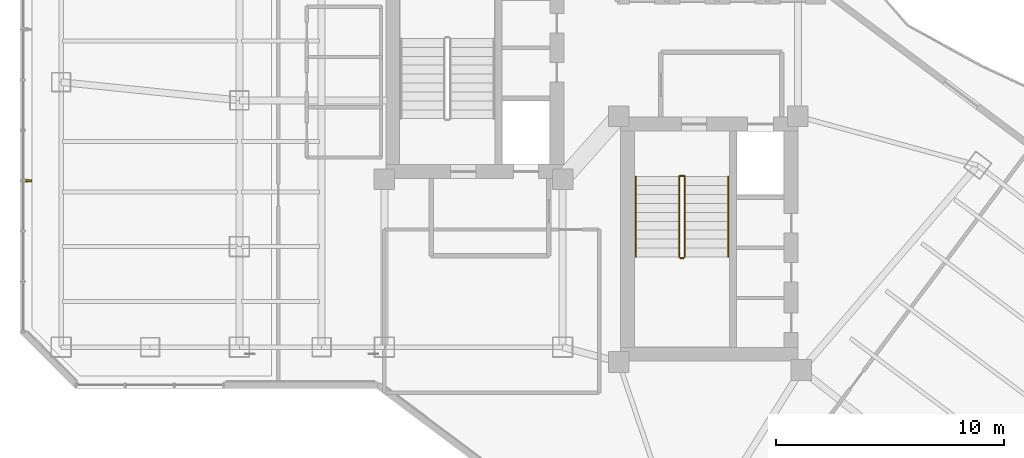
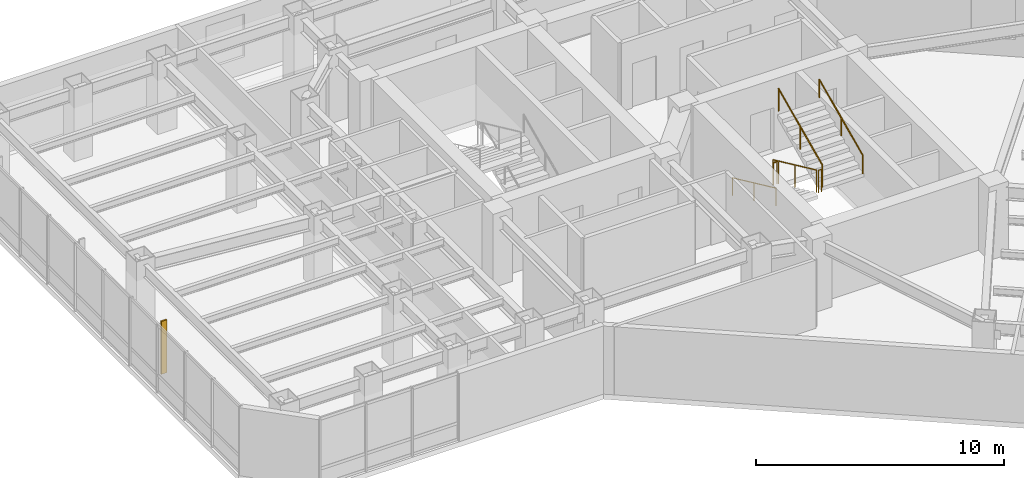
# One storey, part 26 of 29: 7 railings, 1 shading device.
"""IFC4 building model written with IfcOpenShell, lengths in metres."""

from ifc_helpers import new_model, si_unit, direction, frame, origin, origin_2d, place, context, subcontext, project, spatial, rectangle, circle, extrude, material, layer, layer_set, type_object, element, save


model = new_model("IFC4")

# Units and contexts
model_context = context("Model", 3, precision=1e-05, world=origin(), true_north=direction((0.0, 1.0)))
body_context = subcontext(model_context, "Body", "Model", "MODEL_VIEW")
ifc_project = project(units=[si_unit("LENGTHUNIT", "METRE"), si_unit("AREAUNIT", "SQUARE_METRE"), si_unit("VOLUMEUNIT", "CUBIC_METRE"), si_unit("PLANEANGLEUNIT", "RADIAN"), si_unit("MASSUNIT", "GRAM", prefix="KILO")], contexts=[model_context])

# Site, building, storey
site_placement = place(None, origin())
site = spatial("IfcSite", under=ifc_project, at=site_placement, CompositionType="ELEMENT")
building_placement = place(site_placement, origin())
building = spatial("IfcBuilding", under=site, at=building_placement, Name="Hatsunagi Terrace Concourse", CompositionType="ELEMENT")
storey_placement = place(building_placement, frame((0.0, 0.0, 104.85009765625)))
storey = spatial("IfcBuildingStorey", under=building, at=storey_placement, Name="L27", CompositionType="ELEMENT", Elevation=104.85009765625)

# Railings
ifc_material_1 = material(Name="Stainless steel", Category="steel")
ifc_layer_1 = layer(ifc_material_1, 0.044921875)
ifc_layer_set_1 = layer_set([ifc_layer_1], Name="StairPitchHandrail_Tower2000")
railing_type_1 = type_object("IfcRailingType", Name="StairPitchHandrail_Tower2000", PredefinedType="HANDRAIL", material=ifc_layer_set_1)
railing_1_placement = place(storey_placement, frame((36.550048828125, 32.659912109375, 0.179931640625)))
element("IfcRailing", 1, at=railing_1_placement, inside=storey, type_object=railing_type_1, Name="L27 ST-B stair handrail 1", PredefinedType="HANDRAIL", context=body_context, shape_type="SweptSolid", body=[
    extrude(circle(Radius=0.02392578125, at=origin_2d()), frame((0.0, 0.0, 0.8759765625), z_axis=(0.0, -0.907972323039, 0.419030142823), x_axis=(1.0, 0.0, 0.0)), (0.0, 0.0, 1.0), 3.86572265625),
    extrude(circle(Radius=0.02099609375, at=origin_2d()), origin(), (0.0, 0.0, 1.0), 0.851806640625),
    extrude(circle(Radius=0.02099609375, at=origin_2d()), frame((0.0, -1.7548828125, 0.81005859375)), (0.0, 0.0, 1.0), 0.851806640625),
    extrude(circle(Radius=0.02099609375, at=origin_2d()), frame((0.0, -3.510009765625, 1.619873046875)), (0.0, 0.0, 1.0), 0.851806640625),
])
railing_2_placement = place(storey_placement, frame((40.60009765625, 29.14990234375, 1.97998046875)))
element("IfcRailing", 2, at=railing_2_placement, inside=storey, type_object=railing_type_1, Name="L27 ST-B stair handrail 2", PredefinedType="HANDRAIL", context=body_context, shape_type="SweptSolid", body=[
    extrude(circle(Radius=0.02392578125, at=origin_2d()), frame((0.0, 0.0, 0.8759765625), z_axis=(0.0, 0.907972323039, 0.419030142823), x_axis=(-1.0, 0.0, 0.0)), (0.0, 0.0, 1.0), 3.86572265625),
    extrude(circle(Radius=0.02099609375, at=origin_2d()), origin(), (0.0, 0.0, 1.0), 0.851806640625),
    extrude(circle(Radius=0.02099609375, at=origin_2d()), frame((0.0, 1.7548828125, 0.81005859375)), (0.0, 0.0, 1.0), 0.851806640625),
    extrude(circle(Radius=0.02099609375, at=origin_2d()), frame((0.0, 3.510009765625, 1.619873046875)), (0.0, 0.0, 1.0), 0.851806640625),
])
ifc_material_2 = material(Name="Stainless steel", Category="steel")
ifc_layer_2 = layer(ifc_material_2, 0.06005859375)
ifc_layer_set_2 = layer_set([ifc_layer_2], Name="StairWellGuard_Tower2000")
railing_type_2 = type_object("IfcRailingType", Name="StairWellGuard_Tower2000", PredefinedType="BALUSTRADE", material=ifc_layer_set_2)
railing_3_placement = place(storey_placement, frame((38.449951171875, 32.659912109375, 0.179931640625)))
element("IfcRailing", 3, at=railing_3_placement, inside=storey, type_object=railing_type_2, Name="L27 ST-B stair guard 1", PredefinedType="BALUSTRADE", context=body_context, shape_type="SweptSolid", body=[
    extrude(circle(Radius=0.02392578125, at=origin_2d()), frame((0.0, 0.0, 1.09619140625), z_axis=(0.0, -0.907972323039, 0.419030142823), x_axis=(1.0, 0.0, 0.0)), (0.0, 0.0, 1.0), 3.86572265625),
    extrude(circle(Radius=0.02099609375, at=origin_2d()), origin(), (0.0, 0.0, 1.0), 1.072021484375),
    extrude(circle(Radius=0.02099609375, at=origin_2d()), frame((0.0, -1.7548828125, 0.81005859375)), (0.0, 0.0, 1.0), 1.072021484375),
    extrude(circle(Radius=0.02099609375, at=origin_2d()), frame((0.0, -3.510009765625, 1.619873046875)), (0.0, 0.0, 1.0), 1.072021484375),
])
railing_4_placement = place(storey_placement, frame((38.5, 29.10009765625, 1.7998046875)))
element("IfcRailing", 4, at=railing_4_placement, inside=storey, type_object=railing_type_2, Name="L27 ST-B stair guard 2", PredefinedType="BALUSTRADE", context=body_context, shape_type="SweptSolid", body=[
    extrude(circle(Radius=0.02392578125, at=origin_2d()), frame((0.0, 0.0, 1.09619140625), z_axis=(1.0, 0.0, 0.0), x_axis=(0.0, 1.0, 0.0)), (0.0, 0.0, 1.0), 0.14990234375),
    extrude(circle(Radius=0.02099609375, at=origin_2d()), origin(), (0.0, 0.0, 1.0), 1.072021484375),
    extrude(circle(Radius=0.02099609375, at=origin_2d()), frame((0.14990234375, 0.0, 0.0)), (0.0, 0.0, 1.0), 1.072021484375),
])
railing_5_placement = place(storey_placement, frame((38.699951171875, 29.14990234375, 1.97998046875)))
element("IfcRailing", 5, at=railing_5_placement, inside=storey, type_object=railing_type_2, Name="L27 ST-B stair guard 3", PredefinedType="BALUSTRADE", context=body_context, shape_type="SweptSolid", body=[
    extrude(circle(Radius=0.02392578125, at=origin_2d()), frame((0.0, 0.0, 1.09619140625), z_axis=(0.0, 0.907972323039, 0.419030142823), x_axis=(-1.0, 0.0, 0.0)), (0.0, 0.0, 1.0), 3.86572265625),
    extrude(circle(Radius=0.02099609375, at=origin_2d()), origin(), (0.0, 0.0, 1.0), 1.072021484375),
    extrude(circle(Radius=0.02099609375, at=origin_2d()), frame((0.0, 1.7548828125, 0.81005859375)), (0.0, 0.0, 1.0), 1.072021484375),
    extrude(circle(Radius=0.02099609375, at=origin_2d()), frame((0.0, 3.510009765625, 1.619873046875)), (0.0, 0.0, 1.0), 1.072021484375),
])
railing_6_placement = place(storey_placement, frame((38.5, 32.7099609375, 0.0)))
element("IfcRailing", 6, at=railing_6_placement, inside=storey, type_object=railing_type_2, Name="L27 ST-B stair guard 4", PredefinedType="BALUSTRADE", context=body_context, shape_type="SweptSolid", body=[
    extrude(circle(Radius=0.02392578125, at=origin_2d()), frame((0.0, 0.0, 1.09619140625), z_axis=(1.0, 0.0, 0.0), x_axis=(0.0, 1.0, 0.0)), (0.0, 0.0, 1.0), 0.14990234375),
    extrude(circle(Radius=0.02099609375, at=origin_2d()), origin(), (0.0, 0.0, 1.0), 1.072021484375),
    extrude(circle(Radius=0.02099609375, at=origin_2d()), frame((0.14990234375, 0.0, 0.0)), (0.0, 0.0, 1.0), 1.072021484375),
])
ifc_material_3 = material(Name="Stainless Steel SUS316 Post-and-Rail Guard", Category="steel")
ifc_layer_3 = layer(ifc_material_3, 0.080078125)
ifc_layer_set_3 = layer_set([ifc_layer_3], Name="TerracePlantedGuardRail_1200")
railing_type_3 = type_object("IfcRailingType", Name="TerracePlantedGuardRail_1200", PredefinedType="GUARDRAIL", material=ifc_layer_set_3)
railing_7_placement = place(storey_placement, frame((38.449951171875, 32.679931640625, 0.0)))
element("IfcRailing", 7, at=railing_7_placement, inside=storey, type_object=railing_type_3, Name="Stair ST-B Well Closure Guard L27", PredefinedType="GUARDRAIL", context=body_context, shape_type="SweptSolid", body=[
    extrude(circle(Radius=0.02392578125, at=origin_2d()), frame((0.0, 0.0, 1.09619140625), z_axis=(1.0, 0.0, 0.0), x_axis=(0.0, 1.0, 0.0)), (0.0, 0.0, 1.0), 0.25),
    extrude(circle(Radius=0.02099609375, at=origin_2d()), origin(), (0.0, 0.0, 1.0), 1.072021484375),
    extrude(circle(Radius=0.02099609375, at=origin_2d()), frame((0.25, 0.0, 0.0)), (0.0, 0.0, 1.0), 1.072021484375),
])

# Shading device
ifc_material_4 = material(Name="Extruded Unglazed Terracotta Baguette", Category="masonry")
shading_device_type = type_object("IfcShadingDeviceType", Name="TerracottaFinScreen_260x70", PredefinedType="USERDEFINED", material=ifc_material_4)
shading_device_placement = place(storey_placement, frame((9.989990234375, 32.48291015625, 0.849853515625), z_axis=(0.0, 0.0, 1.0), x_axis=(0.0, 1.0, 0.0)))
element("IfcShadingDevice", 8, at=shading_device_placement, inside=storey, type_object=shading_device_type, Name="Terracotta Baguette Fin Screen SCR-01", ObjectType="SUNSHADE", PredefinedType="USERDEFINED", context=body_context, shape_type="SweptSolid", body=[
    extrude(rectangle(XDim=0.070068359375, YDim=0.260009765625, at=origin_2d()), origin(), (0.0, 0.0, 1.0), 2.60009765625),
])

save(model, "model.ifc")
